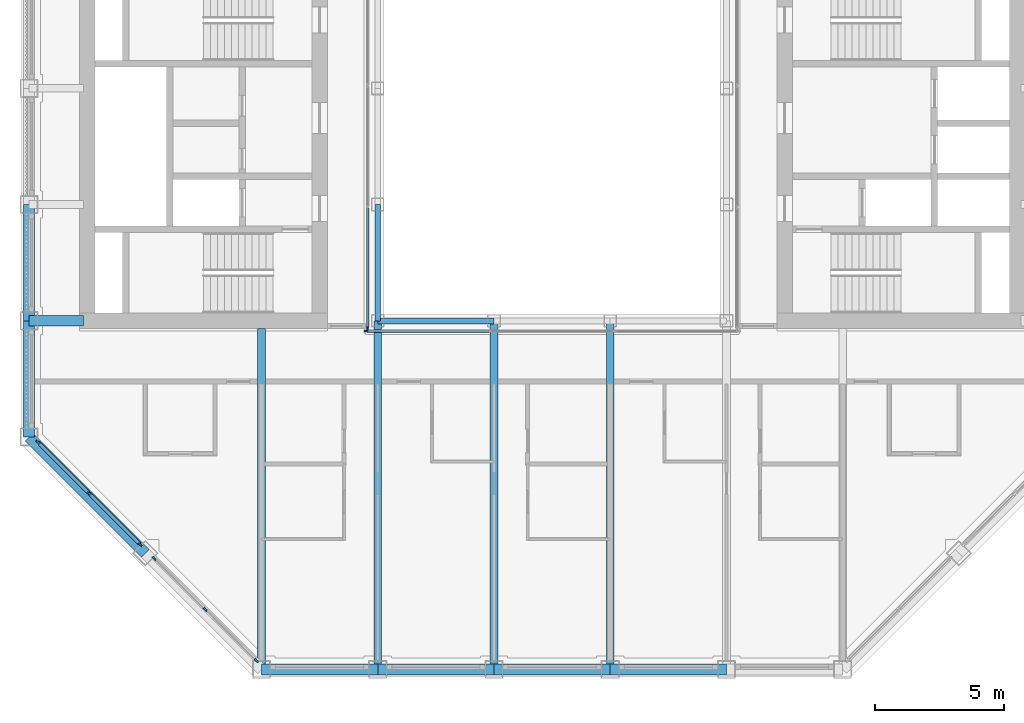
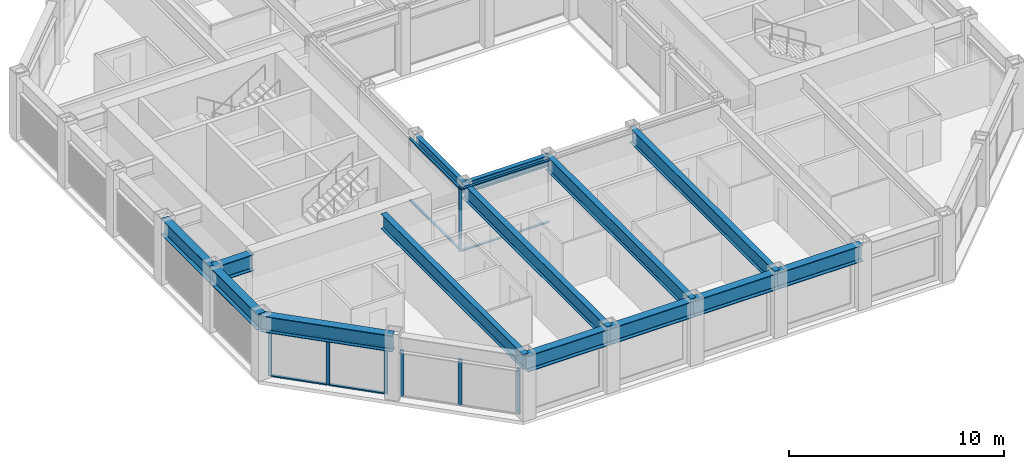
# One storey, part 2 of 18: 16 members, 14 beams, 4 elements without a shape of their own.
"""IFC4 building model written with IfcOpenShell, lengths in metres."""

from ifc_helpers import new_model, si_unit, direction, frame, origin, origin_2d, place, context, subcontext, project, spatial, rectangle, i_section, extrude, material, material_profile, profile_set, type_object, element, aggregate, save


model = new_model("IFC4")

# Units and contexts
model_context = context("Model", 3, precision=1e-05, world=origin(), true_north=direction((0.0, 1.0)))
body_context = subcontext(model_context, "Body", "Model", "MODEL_VIEW")
ifc_project = project(units=[si_unit("LENGTHUNIT", "METRE"), si_unit("AREAUNIT", "SQUARE_METRE"), si_unit("VOLUMEUNIT", "CUBIC_METRE"), si_unit("PLANEANGLEUNIT", "RADIAN"), si_unit("MASSUNIT", "GRAM", prefix="KILO")], contexts=[model_context])

# Site, building, storey
site_placement = place(None, origin())
site = spatial("IfcSite", under=ifc_project, at=site_placement, CompositionType="ELEMENT")
building_placement = place(site_placement, origin())
building = spatial("IfcBuilding", under=site, at=building_placement, Name="Msasa Ring Tower", CompositionType="ELEMENT")
storey_placement = place(building_placement, frame((0.0, 0.0, 249.550048828125)))
storey = spatial("IfcBuildingStorey", under=building, at=storey_placement, Name="L65", CompositionType="ELEMENT", Elevation=249.550048828125)

# Curtain wall, members
ifc_material_1 = material(Name="Aluminium curtain wall with clear glass", Category="aluminium")
curtain_wall_type_1 = type_object("IfcCurtainWallType", Name="CW-C CHAMFER CORNER CURTAIN WALL", PredefinedType="NOTDEFINED", material=ifc_material_1)
curtain_wall_1_placement = place(storey_placement, origin())
curtain_wall_1 = element("IfcCurtainWall", 1, at=curtain_wall_1_placement, inside=storey, type_object=curtain_wall_type_1, Name="Chamfer corner curtain wall SW L65", PredefinedType="NOTDEFINED")
ifc_material_2 = material(Name="Aluminium mullion", Category="aluminium")
ifc_material_profile_1 = material_profile(ifc_material_2, rectangle(XDim=0.06494140625, YDim=0.179931640625, at=origin_2d()), Name="AL 65x180")
ifc_profile_set_1 = profile_set([ifc_material_profile_1], Name="Aluminium mullion")
member_type_1 = type_object("IfcMemberType", Name="CW-C MULLION 65x180", PredefinedType="MULLION", material=ifc_profile_set_1)
member_1_placement = place(storey_placement, frame((-19.9052734375, -11.453369140625, 0.0), z_axis=(0.0, 0.0, 1.0), x_axis=(0.707106781187, 0.707106781187, 0.0)))
member_1 = element("IfcMember", 2, at=member_1_placement, type_object=member_type_1, Name="CW-C mullion 1", PredefinedType="MULLION", context=body_context, shape_type="SweptSolid", body=[
    extrude(rectangle(XDim=0.06494140625, YDim=0.179931640625, at=origin_2d()), origin(), (0.0, 0.0, 1.0), 2.62890625),
])
member_2_placement = place(storey_placement, frame((-17.92919921875, -13.42919921875, 0.0), z_axis=(0.0, 0.0, 1.0), x_axis=(0.707106781187, 0.707106781187, 0.0)))
member_2 = element("IfcMember", 3, at=member_2_placement, type_object=member_type_1, Name="CW-C mullion 2", PredefinedType="MULLION", context=body_context, shape_type="SweptSolid", body=[
    extrude(rectangle(XDim=0.06494140625, YDim=0.179931640625, at=origin_2d()), origin(), (0.0, 0.0, 1.0), 2.62890625),
])
member_3_placement = place(storey_placement, frame((-15.953369140625, -15.4052734375, 0.0), z_axis=(0.0, 0.0, 1.0), x_axis=(0.707106781187, 0.707106781187, 0.0)))
member_3 = element("IfcMember", 4, at=member_3_placement, type_object=member_type_1, Name="CW-C mullion 3", PredefinedType="MULLION", context=body_context, shape_type="SweptSolid", body=[
    extrude(rectangle(XDim=0.06494140625, YDim=0.179931640625, at=origin_2d()), origin(), (0.0, 0.0, 1.0), 2.62890625),
])

curtain_wall_2_placement = place(storey_placement, origin())
curtain_wall_2 = element("IfcCurtainWall", 5, at=curtain_wall_2_placement, inside=storey, type_object=curtain_wall_type_1, Name="Chamfer corner curtain wall SW L65", PredefinedType="NOTDEFINED")
member_4_placement = place(storey_placement, frame((-15.4052734375, -15.953369140625, 0.0), z_axis=(0.0, 0.0, 1.0), x_axis=(0.707106781187, 0.707106781187, 0.0)))
member_4 = element("IfcMember", 6, at=member_4_placement, type_object=member_type_1, Name="CW-C mullion 1", PredefinedType="MULLION", context=body_context, shape_type="SweptSolid", body=[
    extrude(rectangle(XDim=0.06494140625, YDim=0.179931640625, at=origin_2d()), origin(), (0.0, 0.0, 1.0), 2.62890625),
])
member_5_placement = place(storey_placement, frame((-13.42919921875, -17.92919921875, 0.0), z_axis=(0.0, 0.0, 1.0), x_axis=(0.707106781187, 0.707106781187, 0.0)))
member_5 = element("IfcMember", 7, at=member_5_placement, type_object=member_type_1, Name="CW-C mullion 2", PredefinedType="MULLION", context=body_context, shape_type="SweptSolid", body=[
    extrude(rectangle(XDim=0.06494140625, YDim=0.179931640625, at=origin_2d()), origin(), (0.0, 0.0, 1.0), 2.62890625),
])
member_6_placement = place(storey_placement, frame((-11.453369140625, -19.9052734375, 0.0), z_axis=(0.0, 0.0, 1.0), x_axis=(0.707106781187, 0.707106781187, 0.0)))
member_6 = element("IfcMember", 8, at=member_6_placement, type_object=member_type_1, Name="CW-C mullion 3", PredefinedType="MULLION", context=body_context, shape_type="SweptSolid", body=[
    extrude(rectangle(XDim=0.06494140625, YDim=0.179931640625, at=origin_2d()), origin(), (0.0, 0.0, 1.0), 2.62890625),
])
aggregate(curtain_wall_2, [member_4, member_5, member_6])

# Member
ifc_material_3 = material(Name="Aluminium transom", Category="aluminium")
ifc_material_profile_2 = material_profile(ifc_material_3, rectangle(XDim=0.139892578125, YDim=0.06494140625, at=origin_2d()), Name="AL 65x140")
ifc_profile_set_2 = profile_set([ifc_material_profile_2], Name="Aluminium transom")
member_type_2 = type_object("IfcMemberType", Name="CW-C TRANSOM 65x140", PredefinedType="USERDEFINED", material=ifc_profile_set_2)
member_7_placement = place(storey_placement, frame((-19.88232421875, -11.476318359375, 0.032470703125), z_axis=(0.707106781187, -0.707106781187, 0.0), x_axis=(0.707106781187, 0.707106781187, 0.0)))
member_7 = element("IfcMember", 9, at=member_7_placement, type_object=member_type_2, Name="CW-C transom 1.1", ObjectType="TRANSOM", PredefinedType="USERDEFINED", context=body_context, shape_type="SweptSolid", body=[
    extrude(rectangle(XDim=0.139892578125, YDim=0.06494140625, at=origin_2d()), origin(), (0.0, 0.0, 1.0), 2.729248046875),
])

member_8_placement = place(storey_placement, frame((-19.88232421875, -11.476318359375, 2.596435546875), z_axis=(0.707106781187, -0.707106781187, 0.0), x_axis=(0.707106781187, 0.707106781187, 0.0)))
member_8 = element("IfcMember", 10, at=member_8_placement, type_object=member_type_2, Name="CW-C transom 1.2", ObjectType="TRANSOM", PredefinedType="USERDEFINED", context=body_context, shape_type="SweptSolid", body=[
    extrude(rectangle(XDim=0.139892578125, YDim=0.06494140625, at=origin_2d()), origin(), (0.0, 0.0, 1.0), 2.729248046875),
])

member_9_placement = place(storey_placement, frame((-17.90625, -13.452392578125, 0.032470703125), z_axis=(0.707106781187, -0.707106781187, 0.0), x_axis=(0.707106781187, 0.707106781187, 0.0)))
member_9 = element("IfcMember", 11, at=member_9_placement, type_object=member_type_2, Name="CW-C transom 2.1", ObjectType="TRANSOM", PredefinedType="USERDEFINED", context=body_context, shape_type="SweptSolid", body=[
    extrude(rectangle(XDim=0.139892578125, YDim=0.06494140625, at=origin_2d()), origin(), (0.0, 0.0, 1.0), 2.729248046875),
])

member_10_placement = place(storey_placement, frame((-17.90625, -13.452392578125, 2.596435546875), z_axis=(0.707106781187, -0.707106781187, 0.0), x_axis=(0.707106781187, 0.707106781187, 0.0)))
member_10 = element("IfcMember", 12, at=member_10_placement, type_object=member_type_2, Name="CW-C transom 2.2", ObjectType="TRANSOM", PredefinedType="USERDEFINED", context=body_context, shape_type="SweptSolid", body=[
    extrude(rectangle(XDim=0.139892578125, YDim=0.06494140625, at=origin_2d()), origin(), (0.0, 0.0, 1.0), 2.729248046875),
])

aggregate(curtain_wall_1, [member_1, member_2, member_3, member_7, member_8, member_9, member_10])

# Curtain wall, member
ifc_material_4 = material(Name="Aluminium curtain wall with clear glass", Category="aluminium")
curtain_wall_type_2 = type_object("IfcCurtainWallType", Name="CW-W LIGHT WELL CURTAIN WALL", PredefinedType="NOTDEFINED", material=ifc_material_4)
curtain_wall_3_placement = place(storey_placement, origin())
curtain_wall_3 = element("IfcCurtainWall", 13, at=curtain_wall_3_placement, inside=storey, type_object=curtain_wall_type_2, Name="Light well curtain wall S L65", PredefinedType="NOTDEFINED")
ifc_material_5 = material(Name="Aluminium mullion", Category="aluminium")
ifc_material_profile_3 = material_profile(ifc_material_5, rectangle(XDim=0.06005859375, YDim=0.159912109375, at=origin_2d()), Name="AL 60x160")
ifc_profile_set_3 = profile_set([ifc_material_profile_3], Name="Aluminium mullion")
member_type_3 = type_object("IfcMemberType", Name="CW-W MULLION 60x160", PredefinedType="MULLION", material=ifc_profile_set_3)
member_11_placement = place(storey_placement, frame((-7.199951171875, -7.14990234375, 0.0), z_axis=(0.0, 0.0, 1.0), x_axis=(0.0, 1.0, 0.0)))
member_11 = element("IfcMember", 14, at=member_11_placement, type_object=member_type_3, Name="CW-W mullion 1", PredefinedType="MULLION", context=body_context, shape_type="SweptSolid", body=[
    extrude(rectangle(XDim=0.06005859375, YDim=0.159912109375, at=origin_2d()), origin(), (0.0, 0.0, 1.0), 3.550048828125),
])

curtain_wall_4_placement = place(storey_placement, origin())
curtain_wall_4 = element("IfcCurtainWall", 15, at=curtain_wall_4_placement, inside=storey, type_object=curtain_wall_type_2, Name="Light well curtain wall W L65", PredefinedType="NOTDEFINED")
member_12_placement = place(storey_placement, frame((-7.14990234375, -7.0400390625, 0.0), z_axis=(0.0, 0.0, 1.0), x_axis=(-1.0, 0.0, 0.0)))
member_12 = element("IfcMember", 16, at=member_12_placement, type_object=member_type_3, Name="CW-W mullion 1", PredefinedType="MULLION", context=body_context, shape_type="SweptSolid", body=[
    extrude(rectangle(XDim=0.06005859375, YDim=0.159912109375, at=origin_2d()), origin(), (0.0, 0.0, 1.0), 3.550048828125),
])

# Member
ifc_material_6 = material(Name="Aluminium transom", Category="aluminium")
ifc_material_profile_4 = material_profile(ifc_material_6, rectangle(XDim=0.1201171875, YDim=0.06005859375, at=origin_2d()), Name="AL 60x120")
ifc_profile_set_4 = profile_set([ifc_material_profile_4], Name="Aluminium transom")
member_type_4 = type_object("IfcMemberType", Name="CW-W TRANSOM 60x120", PredefinedType="USERDEFINED", material=ifc_profile_set_4)
member_13_placement = place(storey_placement, frame((-7.169921875, -7.14990234375, 0.030029296875), z_axis=(1.0, 0.0, 0.0), x_axis=(0.0, 1.0, 0.0)))
member_13 = element("IfcMember", 17, at=member_13_placement, type_object=member_type_4, Name="CW-W transom 1.1", ObjectType="TRANSOM", PredefinedType="USERDEFINED", context=body_context, shape_type="SweptSolid", body=[
    extrude(rectangle(XDim=0.1201171875, YDim=0.06005859375, at=origin_2d()), origin(), (0.0, 0.0, 1.0), 4.72998046875),
])

member_14_placement = place(storey_placement, frame((-7.169921875, -7.14990234375, 3.52001953125), z_axis=(1.0, 0.0, 0.0), x_axis=(0.0, 1.0, 0.0)))
member_14 = element("IfcMember", 18, at=member_14_placement, type_object=member_type_4, Name="CW-W transom 1.2", ObjectType="TRANSOM", PredefinedType="USERDEFINED", context=body_context, shape_type="SweptSolid", body=[
    extrude(rectangle(XDim=0.1201171875, YDim=0.06005859375, at=origin_2d()), origin(), (0.0, 0.0, 1.0), 4.72998046875),
])

aggregate(curtain_wall_3, [member_11, member_13, member_14])

member_15_placement = place(storey_placement, frame((-7.14990234375, -7.010009765625, 0.030029296875), z_axis=(0.0, 1.0, 0.0), x_axis=(-1.0, 0.0, 0.0)))
member_15 = element("IfcMember", 19, at=member_15_placement, type_object=member_type_4, Name="CW-W transom 1.1", ObjectType="TRANSOM", PredefinedType="USERDEFINED", context=body_context, shape_type="SweptSolid", body=[
    extrude(rectangle(XDim=0.1201171875, YDim=0.06005859375, at=origin_2d()), origin(), (0.0, 0.0, 1.0), 4.623291015625),
])

member_16_placement = place(storey_placement, frame((-7.14990234375, -7.010009765625, 3.52001953125), z_axis=(0.0, 1.0, 0.0), x_axis=(-1.0, 0.0, 0.0)))
member_16 = element("IfcMember", 20, at=member_16_placement, type_object=member_type_4, Name="CW-W transom 1.2", ObjectType="TRANSOM", PredefinedType="USERDEFINED", context=body_context, shape_type="SweptSolid", body=[
    extrude(rectangle(XDim=0.1201171875, YDim=0.06005859375, at=origin_2d()), origin(), (0.0, 0.0, 1.0), 4.623291015625),
])

aggregate(curtain_wall_4, [member_12, member_15, member_16])

# Beams
ifc_material_7 = material(Name="Steel S355", Category="steel")
ifc_material_profile_5 = material_profile(ifc_material_7, i_section(OverallWidth=0.293701171875, OverallDepth=0.850830078125, WebThickness=0.01611328125, FlangeThickness=0.02685546875, FilletRadius=0.017822265625, at=origin_2d()), Name="UB 838x292x226")
ifc_profile_set_5 = profile_set([ifc_material_profile_5], Name="Steel S355")
beam_type_1 = type_object("IfcBeamType", Name="FB5 UB 838x292x226", PredefinedType="BEAM", material=ifc_profile_set_5)
beam_1_placement = place(storey_placement, frame((-11.25, -20.25, 3.12451171875), z_axis=(0.0, 1.0, 0.0), x_axis=(-1.0, 0.0, 0.0)))
element("IfcBeam", 21, at=beam_1_placement, inside=storey, type_object=beam_type_1, Name="Floor beam S-11.25 under L66", PredefinedType="BEAM", context=body_context, shape_type="SweptSolid", body=[
    extrude(i_section(OverallWidth=0.293701171875, OverallDepth=0.850830078125, WebThickness=0.01611328125, FlangeThickness=0.02685546875, FilletRadius=0.017822265625, at=origin_2d()), origin(), (0.0, 0.0, 1.0), 13.199951171875),
])
for number, where, z_axis, x_axis, name in (
    (22, (-6.75, -20.25, 3.12451171875), (0.0, 1.0, 0.0), (-1.0, 0.0, 0.0), "Floor beam S-6.75 under L66"),
    (23, (-2.25, -20.25, 3.12451171875), (0.0, 1.0, 0.0), (-1.0, 0.0, 0.0), "Floor beam S-2.25 under L66"),
    (24, (2.25, -20.25, 3.12451171875), (0.0, 1.0, 0.0), (-1.0, 0.0, 0.0), "Floor beam S+2.25 under L66"),
):
    element("IfcBeam", number, at=place(storey_placement, frame(where, z_axis=z_axis, x_axis=x_axis)), inside=storey, type_object=beam_type_1, Name=name, PredefinedType="BEAM", context=body_context, shape_type="SweptSolid", body=[
        extrude(i_section(OverallWidth=0.293701171875, OverallDepth=0.850830078125, WebThickness=0.01611328125, FlangeThickness=0.02685546875, FilletRadius=0.017822265625, at=origin_2d()), origin(), (0.0, 0.0, 1.0), 13.5),
    ])
ifc_material_8 = material(Name="Steel S355", Category="steel")
ifc_material_profile_6 = material_profile(ifc_material_8, i_section(OverallWidth=0.42041015625, OverallDepth=0.9208984375, WebThickness=0.021484375, FlangeThickness=0.03662109375, FilletRadius=0.024169921875, at=origin_2d()), Name="UB 914x419x388")
ifc_profile_set_6 = profile_set([ifc_material_profile_6], Name="Steel S355")
beam_type_2 = type_object("IfcBeamType", Name="GB1 UB 914x419x388", PredefinedType="BEAM", material=ifc_profile_set_6)
beam_2_placement = place(storey_placement, frame((-18.14990234375, -6.75, 3.08935546875), z_axis=(-1.0, 0.0, 0.0), x_axis=(0.0, -1.0, 0.0)))
element("IfcBeam", 25, at=beam_2_placement, inside=storey, type_object=beam_type_2, Name="Girder W -6.75 under L66", PredefinedType="BEAM", context=body_context, shape_type="SweptSolid", body=[
    extrude(i_section(OverallWidth=0.42041015625, OverallDepth=0.9208984375, WebThickness=0.021484375, FlangeThickness=0.03662109375, FilletRadius=0.024169921875, at=origin_2d()), origin(), (0.0, 0.0, 1.0), 2.10009765625),
])
ifc_material_9 = material(Name="Steel S355", Category="steel")
ifc_material_profile_7 = material_profile(ifc_material_9, i_section(OverallWidth=0.230224609375, OverallDepth=0.6171875, WebThickness=0.01318359375, FlangeThickness=0.022216796875, FilletRadius=0.0126953125, at=origin_2d()), Name="UB 610x229x140")
ifc_profile_set_7 = profile_set([ifc_material_profile_7], Name="Steel S355")
beam_type_3 = type_object("IfcBeamType", Name="RB1 UB 610x229x140", PredefinedType="BEAM", material=ifc_profile_set_7)
for number, where, z_axis, x_axis, name in (
    (26, (-6.75, -2.25, 3.241455078125), (0.0, -1.0, 0.0), (1.0, 0.0, 0.0), "Inner ring beam IR-6.75-2.25 under L66"),
    (27, (-6.75, -6.75, 3.241455078125), (1.0, 0.0, 0.0), (0.0, 1.0, 0.0), "Inner ring beam IR-6.75-6.75 under L66"),
):
    element("IfcBeam", number, at=place(storey_placement, frame(where, z_axis=z_axis, x_axis=x_axis)), inside=storey, type_object=beam_type_3, Name=name, PredefinedType="BEAM", context=body_context, shape_type="SweptSolid", body=[
        extrude(i_section(OverallWidth=0.230224609375, OverallDepth=0.6171875, WebThickness=0.01318359375, FlangeThickness=0.022216796875, FilletRadius=0.0126953125, at=origin_2d()), origin(), (0.0, 0.0, 1.0), 4.5),
    ])
ifc_material_10 = material(Name="Steel S355", Category="steel")
ifc_material_profile_8 = material_profile(ifc_material_10, i_section(OverallWidth=0.42041015625, OverallDepth=0.9208984375, WebThickness=0.021484375, FlangeThickness=0.03662109375, FilletRadius=0.024169921875, at=origin_2d()), Name="UB 914x419x388")
ifc_profile_set_8 = profile_set([ifc_material_profile_8], Name="Steel S355")
beam_type_4 = type_object("IfcBeamType", Name="SB1 UB 914x419x388", PredefinedType="SPANDREL", material=ifc_profile_set_8)
for number, where, z_axis, x_axis, name in (
    (28, (-20.25, -2.25, 3.08935546875), (0.0, -1.0, 0.0), (1.0, 0.0, 0.0), "Spandrel W-2.25 to W-6.75 under L66"),
    (29, (-20.25, -6.75, 3.08935546875), (0.0, -1.0, 0.0), (1.0, 0.0, 0.0), "Spandrel W-6.75 to W-11.25 under L66"),
):
    element("IfcBeam", number, at=place(storey_placement, frame(where, z_axis=z_axis, x_axis=x_axis)), inside=storey, type_object=beam_type_4, Name=name, PredefinedType="SPANDREL", context=body_context, shape_type="SweptSolid", body=[
        extrude(i_section(OverallWidth=0.42041015625, OverallDepth=0.9208984375, WebThickness=0.021484375, FlangeThickness=0.03662109375, FilletRadius=0.024169921875, at=origin_2d()), origin(), (0.0, 0.0, 1.0), 4.5),
    ])
beam_3_placement = place(storey_placement, frame((-20.25, -11.25, 3.08935546875), z_axis=(0.707106781187, -0.707106781187, 0.0), x_axis=(0.707106781187, 0.707106781187, 0.0)))
element("IfcBeam", 30, at=beam_3_placement, inside=storey, type_object=beam_type_4, Name="Spandrel W-11.25 to SW under L66", PredefinedType="SPANDREL", context=body_context, shape_type="SweptSolid", body=[
    extrude(i_section(OverallWidth=0.42041015625, OverallDepth=0.9208984375, WebThickness=0.021484375, FlangeThickness=0.03662109375, FilletRadius=0.024169921875, at=origin_2d()), origin(), (0.0, 0.0, 1.0), 6.364013671875),
])
for number, where, z_axis, x_axis, name in (
    (31, (-11.25, -20.25, 3.08935546875), (1.0, 0.0, 0.0), (0.0, 1.0, 0.0), "Spandrel S-11.25 to S-6.75 under L66"),
    (32, (-6.75, -20.25, 3.08935546875), (1.0, 0.0, 0.0), (0.0, 1.0, 0.0), "Spandrel S-6.75 to S-2.25 under L66"),
    (33, (-2.25, -20.25, 3.08935546875), (1.0, 0.0, 0.0), (0.0, 1.0, 0.0), "Spandrel S-2.25 to S+2.25 under L66"),
    (34, (2.25, -20.25, 3.08935546875), (1.0, 0.0, 0.0), (0.0, 1.0, 0.0), "Spandrel S+2.25 to S+6.75 under L66"),
):
    element("IfcBeam", number, at=place(storey_placement, frame(where, z_axis=z_axis, x_axis=x_axis)), inside=storey, type_object=beam_type_4, Name=name, PredefinedType="SPANDREL", context=body_context, shape_type="SweptSolid", body=[
        extrude(i_section(OverallWidth=0.42041015625, OverallDepth=0.9208984375, WebThickness=0.021484375, FlangeThickness=0.03662109375, FilletRadius=0.024169921875, at=origin_2d()), origin(), (0.0, 0.0, 1.0), 4.5),
    ])

save(model, "model.ifc")
